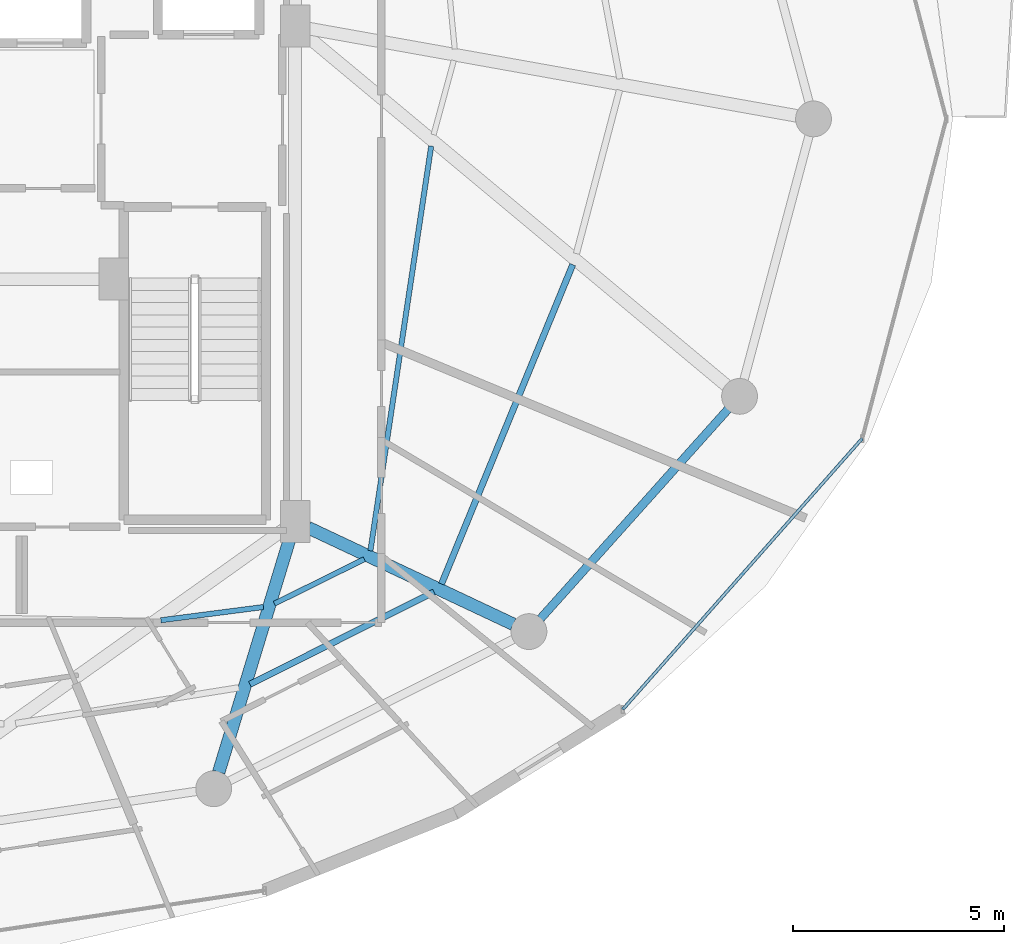
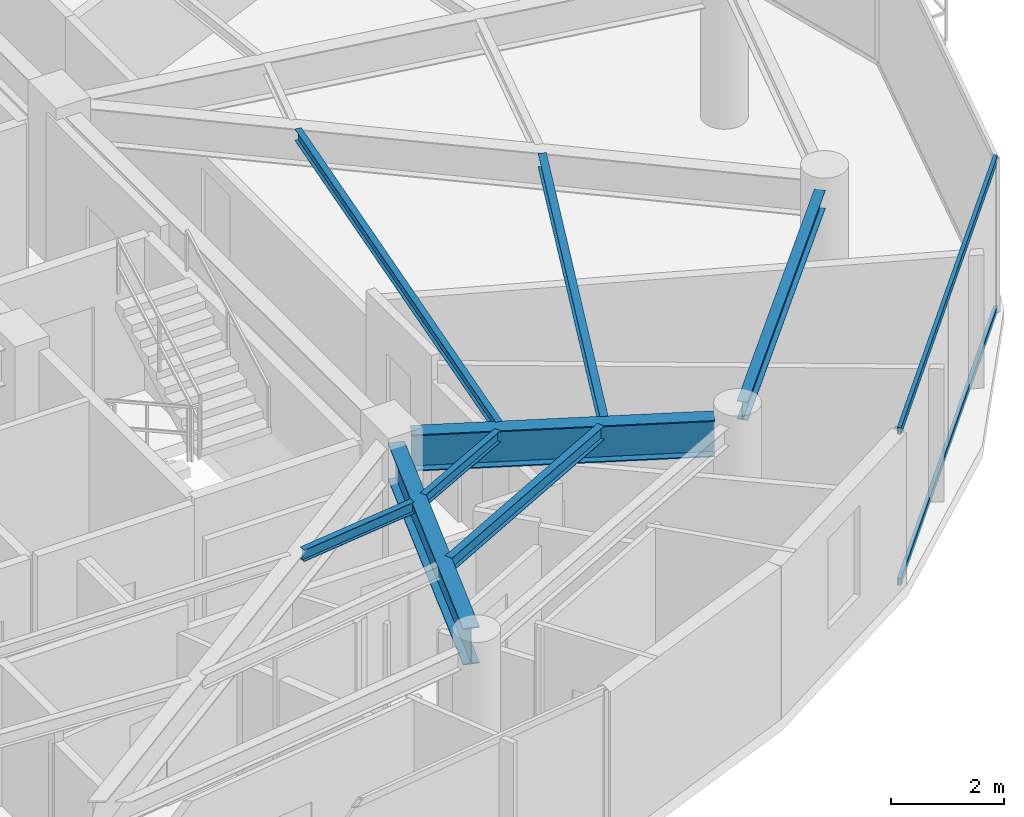
# One storey, part 12 of 30: 8 beams, 2 members, 1 element without a shape of its own.
"""IFC4 building model written with IfcOpenShell, lengths in metres."""

from ifc_helpers import new_model, si_unit, direction, frame, origin, origin_2d, place, context, subcontext, project, spatial, hollow_rectangle, i_section, extrude, material, material_profile, profile_set, type_object, element, aggregate, save


model = new_model("IFC4")

# Units and contexts
model_context = context("Model", 3, precision=1e-05, world=origin(), true_north=direction((0.0, 1.0)))
body_context = subcontext(model_context, "Body", "Model", "MODEL_VIEW")
ifc_project = project(units=[si_unit("LENGTHUNIT", "METRE"), si_unit("AREAUNIT", "SQUARE_METRE"), si_unit("VOLUMEUNIT", "CUBIC_METRE"), si_unit("PLANEANGLEUNIT", "RADIAN"), si_unit("MASSUNIT", "GRAM", prefix="KILO")], contexts=[model_context])

# Site, building, storey
site_placement = place(None, origin())
site = spatial("IfcSite", under=ifc_project, at=site_placement, CompositionType="ELEMENT")
building_placement = place(site_placement, origin())
building = spatial("IfcBuilding", under=site, at=building_placement, Name="Vorneva Point Tower", CompositionType="ELEMENT")
storey_placement = place(building_placement, frame((0.0, 0.0, 252.0)))
storey = spatial("IfcBuildingStorey", under=building, at=storey_placement, Name="L68", CompositionType="ELEMENT", Elevation=252.0)

# Beams
ifc_material_1 = material(Name="Steel S355", Category="steel")
ifc_material_profile_1 = material_profile(ifc_material_1, i_section(OverallWidth=0.300048828125, OverallDepth=0.7880859375, WebThickness=0.014404296875, FlangeThickness=0.02197265625, at=origin_2d()), Name="80Sh1")
ifc_profile_set_1 = profile_set([ifc_material_profile_1], Name="Steel S355")
beam_type_1 = type_object("IfcBeamType", Name="BM-GRD-80Sh1", PredefinedType="USERDEFINED", material=ifc_profile_set_1)
beam_1_placement = place(storey_placement, frame((46.941162109375, 10.50439453125, 2.89599609375), z_axis=(0.291032624293, 0.956713129207, 0.0), x_axis=(-0.956713129207, 0.291032624293, 0.0)))
element("IfcBeam", 1, at=beam_1_placement, inside=storey, type_object=beam_type_1, Name="L68 Radial Primary Girder 14", ObjectType="GIRDER", PredefinedType="USERDEFINED", context=body_context, shape_type="SweptSolid", body=[
    extrude(i_section(OverallWidth=0.300048828125, OverallDepth=0.7880859375, WebThickness=0.014404296875, FlangeThickness=0.02197265625, at=origin_2d()), origin(), (0.0, 0.0, 1.0), 5.874755859375),
])
beam_2_placement = place(storey_placement, frame((53.925048828125, 14.013671875, 2.89599609375), z_axis=(-0.904750812805, 0.425941271455, 0.0), x_axis=(-0.425941271455, -0.904750812805, 0.0)))
element("IfcBeam", 2, at=beam_2_placement, inside=storey, type_object=beam_type_1, Name="L68 Radial Primary Girder 15", ObjectType="GIRDER", PredefinedType="USERDEFINED", context=body_context, shape_type="SweptSolid", body=[
    extrude(i_section(OverallWidth=0.300048828125, OverallDepth=0.7880859375, WebThickness=0.014404296875, FlangeThickness=0.02197265625, at=origin_2d()), origin(), (0.0, 0.0, 1.0), 5.3798828125),
])
ifc_material_profile_2 = material_profile(ifc_material_1, i_section(OverallWidth=0.1240234375, OverallDepth=0.248046875, WebThickness=0.0048828125, FlangeThickness=0.008056640625, at=origin_2d()), Name="25B1")
ifc_profile_set_2 = profile_set([ifc_material_profile_2], Name="Steel S355")
beam_type_2 = type_object("IfcBeamType", Name="BM-JST-25B1", PredefinedType="JOIST", material=ifc_profile_set_2)
beam_3_placement = place(storey_placement, frame((45.56884765625, 14.106689453125, 3.166015625), z_axis=(0.991759516667, 0.128113469633, 0.0), x_axis=(-0.128113469633, 0.991759516667, 0.0)))
element("IfcBeam", 3, at=beam_3_placement, inside=storey, type_object=beam_type_2, Name="L68 Secondary Floor Beam 2.13", PredefinedType="JOIST", context=body_context, shape_type="SweptSolid", body=[
    extrude(i_section(OverallWidth=0.1240234375, OverallDepth=0.248046875, WebThickness=0.0048828125, FlangeThickness=0.008056640625, at=origin_2d()), origin(), (0.0, 0.0, 1.0), 2.45263671875),
])
beam_4_placement = place(storey_placement, frame((48.26171875, 14.5, 3.166015625), z_axis=(0.896082897708, 0.443886742803, 0.0), x_axis=(-0.443886742803, 0.896082897708, 0.0)))
element("IfcBeam", 4, at=beam_4_placement, inside=storey, type_object=beam_type_2, Name="L68 Secondary Floor Beam 2.14", PredefinedType="JOIST", context=body_context, shape_type="SweptSolid", body=[
    extrude(i_section(OverallWidth=0.1240234375, OverallDepth=0.248046875, WebThickness=0.0048828125, FlangeThickness=0.008056640625, at=origin_2d()), origin(), (0.0, 0.0, 1.0), 2.3798828125),
])
beam_5_placement = place(storey_placement, frame((50.538330078125, 15.754150390625, 3.166015625), z_axis=(0.148556856511, 0.98890386812, 0.0), x_axis=(-0.98890386812, 0.148556856511, 0.0)))
element("IfcBeam", 5, at=beam_5_placement, inside=storey, type_object=beam_type_2, Name="L68 Secondary Floor Beam 2.15", PredefinedType="JOIST", context=body_context, shape_type="SweptSolid", body=[
    extrude(i_section(OverallWidth=0.1240234375, OverallDepth=0.248046875, WebThickness=0.0048828125, FlangeThickness=0.008056640625, at=origin_2d()), origin(), (0.0, 0.0, 1.0), 9.709228515625),
])
ifc_material_profile_3 = material_profile(ifc_material_1, i_section(OverallWidth=0.14892578125, OverallDepth=0.298095703125, WebThickness=0.005615234375, FlangeThickness=0.008056640625, at=origin_2d()), Name="30B1")
ifc_profile_set_3 = profile_set([ifc_material_profile_3], Name="Steel S355")
beam_type_3 = type_object("IfcBeamType", Name="BM-JST-30B1", PredefinedType="JOIST", material=ifc_profile_set_3)
beam_6_placement = place(storey_placement, frame((47.68017578125, 12.589599609375, 3.14111328125), z_axis=(0.894207228659, 0.447653249975, 0.0), x_axis=(-0.447653249975, 0.894207228659, 0.0)))
element("IfcBeam", 6, at=beam_6_placement, inside=storey, type_object=beam_type_3, Name="L68 Secondary Floor Beam 1.14", PredefinedType="JOIST", context=body_context, shape_type="SweptSolid", body=[
    extrude(i_section(OverallWidth=0.14892578125, OverallDepth=0.298095703125, WebThickness=0.005615234375, FlangeThickness=0.008056640625, at=origin_2d()), origin(), (0.0, 0.0, 1.0), 4.885986328125),
])
beam_7_placement = place(storey_placement, frame((52.22509765625, 14.96630859375, 3.14111328125), z_axis=(0.380013584787, 0.924980905412, 0.0), x_axis=(-0.924980905412, 0.380013584787, 0.0)))
element("IfcBeam", 7, at=beam_7_placement, inside=storey, type_object=beam_type_3, Name="L68 Secondary Floor Beam 1.15", PredefinedType="JOIST", context=body_context, shape_type="SweptSolid", body=[
    extrude(i_section(OverallWidth=0.14892578125, OverallDepth=0.298095703125, WebThickness=0.005615234375, FlangeThickness=0.008056640625, at=origin_2d()), origin(), (0.0, 0.0, 1.0), 8.190673828125),
])
ifc_material_profile_4 = material_profile(ifc_material_1, i_section(OverallWidth=0.198974609375, OverallDepth=0.39599609375, WebThickness=0.007080078125, FlangeThickness=0.010986328125, at=origin_2d()), Name="40B1")
ifc_profile_set_4 = profile_set([ifc_material_profile_4], Name="Steel S355")
beam_type_4 = type_object("IfcBeamType", Name="BM-SPN-40B1", PredefinedType="SPANDREL", material=ifc_profile_set_4)
beam_8_placement = place(storey_placement, frame((54.572265625, 14.143310546875, 3.092041015625), z_axis=(0.667108282638, 0.744960763554, 0.0), x_axis=(-0.744960763554, 0.667108282638, 0.0)))
element("IfcBeam", 8, at=beam_8_placement, inside=storey, type_object=beam_type_4, Name="L68 Perimeter Spandrel Ring Beam 15", PredefinedType="SPANDREL", context=body_context, shape_type="SweptSolid", body=[
    extrude(i_section(OverallWidth=0.198974609375, OverallDepth=0.39599609375, WebThickness=0.007080078125, FlangeThickness=0.010986328125, at=origin_2d()), origin(), (0.0, 0.0, 1.0), 6.670166015625),
])

# Curtain wall, members
ifc_material_2 = material(Name="Pale anodised aluminium", Category="aluminium")
curtain_wall_type = type_object("IfcCurtainWallType", Name="CW-RES-SYS", PredefinedType="NOTDEFINED", material=ifc_material_2)
curtain_wall_placement = place(storey_placement, origin())
curtain_wall = element("IfcCurtainWall", 9, at=curtain_wall_placement, inside=storey, type_object=curtain_wall_type, Name="L68 Unitised Curtain Wall CW-L68-R01", PredefinedType="NOTDEFINED")
ifc_material_profile_5 = material_profile(ifc_material_2, hollow_rectangle(XDim=0.074951171875, YDim=0.14990234375, WallThickness=0.00390625, at=origin_2d()), Name="AL-TRN 150x75x4")
ifc_profile_set_5 = profile_set([ifc_material_profile_5], Name="Pale anodised aluminium")
member_type = type_object("IfcMemberType", Name="CW-TRN-150", PredefinedType="USERDEFINED", material=ifc_profile_set_5)
member_1_placement = place(storey_placement, frame((56.526123046875, 11.9921875, 0.02001953125), z_axis=(0.662196681357, 0.74933007093, 0.0), x_axis=(-0.74933007093, 0.662196681357, 0.0)))
member_1 = element("IfcMember", 10, at=member_1_placement, type_object=member_type, Name="CW-L68-R01 Transom 01.1", ObjectType="TRANSOM", PredefinedType="USERDEFINED", context=body_context, shape_type="SweptSolid", body=[
    extrude(hollow_rectangle(XDim=0.074951171875, YDim=0.14990234375, WallThickness=0.00390625, at=origin_2d()), origin(), (0.0, 0.0, 1.0), 8.57666015625),
])
member_2_placement = place(storey_placement, frame((56.526123046875, 11.9921875, 3.27001953125), z_axis=(0.662196681357, 0.74933007093, 0.0), x_axis=(-0.74933007093, 0.662196681357, 0.0)))
member_2 = element("IfcMember", 11, at=member_2_placement, type_object=member_type, Name="CW-L68-R01 Transom 01.2", ObjectType="TRANSOM", PredefinedType="USERDEFINED", context=body_context, shape_type="SweptSolid", body=[
    extrude(hollow_rectangle(XDim=0.074951171875, YDim=0.14990234375, WallThickness=0.00390625, at=origin_2d()), origin(), (0.0, 0.0, 1.0), 8.57666015625),
])
aggregate(curtain_wall, [member_1, member_2])

save(model, "model.ifc")
